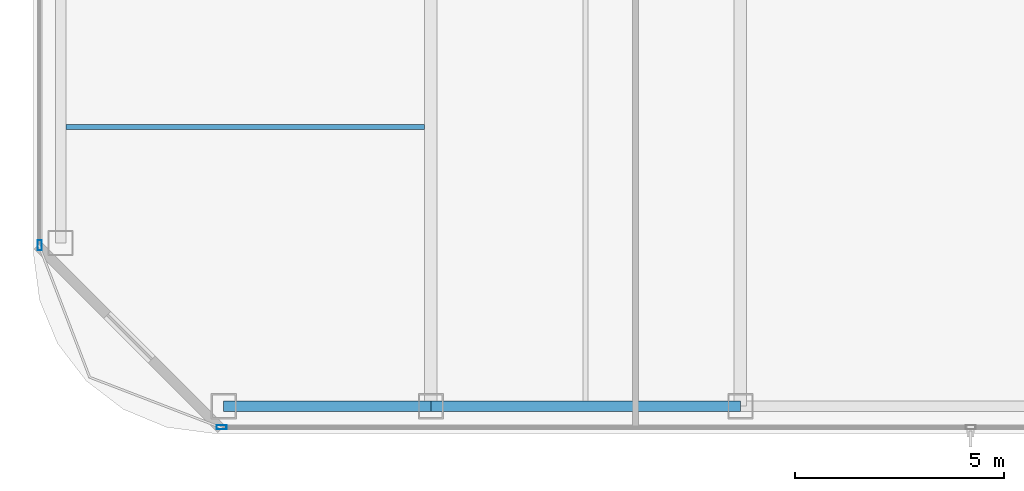
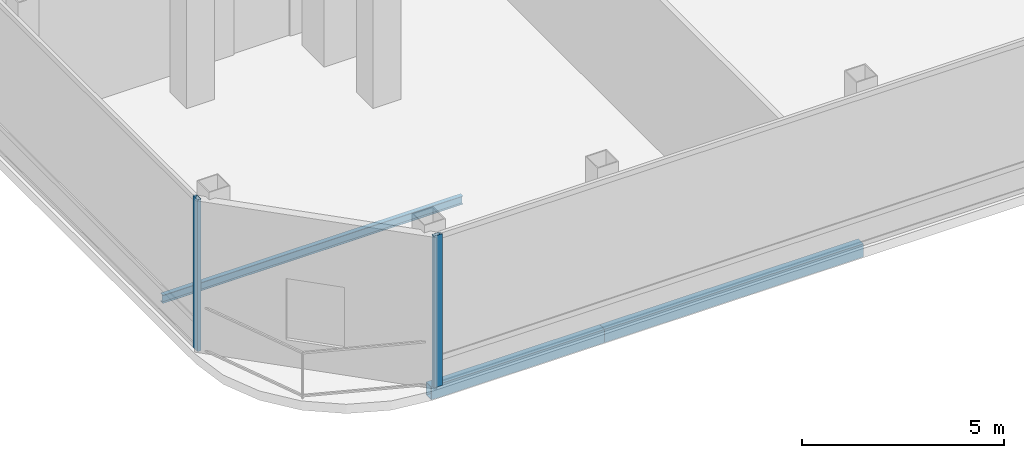
# One storey, part 2 of 22: 3 beams, 2 members, 2 elements without a shape of their own.
"""IFC4 building model written with IfcOpenShell, lengths in metres."""

import ifcopenshell
import ifcopenshell.guid

model = None  # the IFC model being written
_history = None  # IfcOwnerHistory: only IFC2X3 demands one
_inside = {}  # id of a spatial element -> (the spatial element, [elements in it])
_under = {}  # id of a project, library or spatial element -> (it, [spatial elements below it])
_declared = {}  # id of a project -> (the project, [libraries it declares])
_typed = {}  # id of a type object -> (the type object, [elements of that type])
_made_of = {}  # id of a material, layer set ... -> (it, [elements and type objects made of it])


def new_model(schema):
    """Start an empty IFC model of exactly this schema.

    Asked for "IFC4X3", IfcOpenShell would pick the latest addendum, in which some entities
    have other attributes; the version numbers below select the first issue.
    IFC2X3 requires an IfcOwnerHistory on every rooted entity: one is made here for all.
    """
    global model, _history
    if schema == "IFC4X3":
        model = ifcopenshell.file(schema_version=(4, 3, 0, 0))
    else:
        model = ifcopenshell.file(schema=schema)
    _inside.clear()
    _under.clear()
    _declared.clear()
    _typed.clear()
    _made_of.clear()
    _history = None
    if model.schema == "IFC2X3":
        org = make("IfcOrganization", Name="unknown")
        user = make(
            "IfcPersonAndOrganization",
            ThePerson=make("IfcPerson", FamilyName="unknown"),
            TheOrganization=org,
        )
        app = make(
            "IfcApplication",
            ApplicationDeveloper=org,
            Version="unknown",
            ApplicationFullName="unknown",
            ApplicationIdentifier="unknown",
        )
        _history = make(
            "IfcOwnerHistory",
            OwningUser=user,
            OwningApplication=app,
            ChangeAction="ADDED",
            CreationDate=0,
        )
    return model


def make(cls, **values):
    """One entity of the class cls with the attributes given. An attribute that is None is left unset."""
    return model.create_entity(
        cls, **{name: value for name, value in values.items() if value is not None}
    )


def rooted(cls, **values):
    """An entity with a GlobalId (a new one), such as an element, a storey or a relation."""
    return make(cls, GlobalId=ifcopenshell.guid.new(), OwnerHistory=_history, **values)


def si_unit(unit_type, name, prefix=None):
    """IfcSIUnit, for example si_unit("LENGTHUNIT", "METRE", prefix="MILLI")."""
    return make("IfcSIUnit", UnitType=unit_type, Prefix=prefix, Name=name)


def assignment(units):
    """IfcUnitAssignment: the units of a project."""
    return None if units is None else make("IfcUnitAssignment", Units=units)


def point(xyz):
    """IfcCartesianPoint."""
    return None if xyz is None else make("IfcCartesianPoint", Coordinates=xyz)


def direction(xyz):
    """IfcDirection."""
    return None if xyz is None else make("IfcDirection", DirectionRatios=xyz)


def frame(location, z_axis=None, x_axis=None):
    """IfcAxis2Placement3D, a coordinate frame: its origin and axes. An axis left out is left unset."""
    return make(
        "IfcAxis2Placement3D",
        Location=point(location),
        Axis=direction(z_axis),
        RefDirection=direction(x_axis),
    )


def frame_2d(location, x_axis=None):
    """IfcAxis2Placement2D, a coordinate frame in the plane: its origin and x axis."""
    return make(
        "IfcAxis2Placement2D", Location=point(location), RefDirection=direction(x_axis)
    )


def origin():
    """The frame at (0, 0, 0) with its axes left unset."""
    return frame((0.0, 0.0, 0.0))


def origin_2d():
    """The frame at (0, 0) in the plane with its x axis left unset."""
    return frame_2d((0.0, 0.0))


def place(relative_to, where):
    """IfcLocalPlacement: puts the frame where relative to a parent placement (None: the world)."""
    return make(
        "IfcLocalPlacement", PlacementRelTo=relative_to, RelativePlacement=where
    )


def context(
    kind, dimensions, precision=None, world=None, true_north=None, identifier=None
):
    """IfcGeometricRepresentationContext, for example the 3D "Model" context."""
    return make(
        "IfcGeometricRepresentationContext",
        ContextIdentifier=identifier,
        ContextType=kind,
        CoordinateSpaceDimension=dimensions,
        Precision=precision,
        WorldCoordinateSystem=world,
        TrueNorth=true_north,
    )


def subcontext(parent, identifier, kind, view, scale=None):
    """IfcGeometricRepresentationSubContext, for example "Body" below "Model"."""
    return make(
        "IfcGeometricRepresentationSubContext",
        ContextIdentifier=identifier,
        ContextType=kind,
        ParentContext=parent,
        TargetScale=scale,
        TargetView=view,
    )


def project(units=None, contexts=None):
    """IfcProject with its units and contexts."""
    return rooted(
        "IfcProject",
        Name="project",
        RepresentationContexts=contexts,
        UnitsInContext=assignment(units),
    )


def spatial(cls, under=None, at=None, **own):
    """A site, building, storey or space (cls), placed at a placement, below another one or the project."""
    s = rooted(cls, ObjectPlacement=at, **own)
    if under is not None:
        _under.setdefault(under.id(), (under, []))[1].append(s)
    return s


def profile(cls, at=None, kind="AREA", **sizes):
    """A parametric profile (cls). Its sizes go by their IFC names, for example OverallWidth=200.0."""
    return make(cls, ProfileType=kind, Position=at, **sizes)


def hollow_rectangle(**sizes):
    """IfcRectangleHollowProfileDef."""
    return profile("IfcRectangleHollowProfileDef", **sizes)


def i_section(**sizes):
    """IfcIShapeProfileDef."""
    return profile("IfcIShapeProfileDef", **sizes)


def extrude(swept, where, along, depth):
    """IfcExtrudedAreaSolid: the profile swept, set in the frame where, extruded along a direction by depth."""
    return make(
        "IfcExtrudedAreaSolid",
        SweptArea=swept,
        Position=where,
        ExtrudedDirection=direction(along),
        Depth=depth,
    )


def shape(context_of_items, identifier, shape_type, items):
    """IfcShapeRepresentation: the items that make up one representation, for example the "Body"."""
    return make(
        "IfcShapeRepresentation",
        ContextOfItems=context_of_items,
        RepresentationIdentifier=identifier,
        RepresentationType=shape_type,
        Items=items,
    )


def material(Name=None, Category=None):
    """IfcMaterial."""
    return make("IfcMaterial", Name=Name, Category=Category)


def layer(
    of_material, thickness, ventilated=None, Name=None, Category=None, Priority=None
):
    """IfcMaterialLayer: one layer of a wall or slab, of a material (None: an air gap)."""
    return make(
        "IfcMaterialLayer",
        Material=of_material,
        LayerThickness=thickness,
        IsVentilated=ventilated,
        Name=Name,
        Category=Category,
        Priority=Priority,
    )


def layer_set(layers, Name=None):
    """IfcMaterialLayerSet."""
    return make("IfcMaterialLayerSet", MaterialLayers=layers, LayerSetName=Name)


def material_profile(
    of_material, cross_section, Name=None, Category=None, Priority=None
):
    """IfcMaterialProfile: a cross section and its material."""
    return make(
        "IfcMaterialProfile",
        Name=Name,
        Material=of_material,
        Profile=cross_section,
        Priority=Priority,
        Category=Category,
    )


def profile_set(profiles, Name=None, composite=None):
    """IfcMaterialProfileSet."""
    return make(
        "IfcMaterialProfileSet",
        Name=Name,
        MaterialProfiles=profiles,
        CompositeProfile=composite,
    )


def made_of(thing, what):
    """Note that an element or type object is made of a material, layer set ...; save() writes the relation."""
    if what is not None:
        _made_of.setdefault(what.id(), (what, []))[1].append(thing)
    return thing


def type_object(cls, material=None, **own):
    """A type object (cls), such as IfcWallType, which elements share."""
    return made_of(rooted(cls, **own), material)


def element(
    cls,
    number,
    at=None,
    inside=None,
    cuts=None,
    type_object=None,
    material=None,
    context=None,
    identifier="Body",
    shape_type=None,
    held_by="IfcProductDefinitionShape",
    body=None,
    shapes=None,
    **own,
):
    """One element of the class cls, such as IfcWall. Its Tag is "e" and its number.

    at: its placement. inside: the storey or other place that contains it. cuts: it is an
    opening in that element (IfcRelVoidsElement). A single representation is given by context,
    identifier, shape_type and body (its items); several are given by shapes. held_by: the class
    of the entity that holds the representations. save() writes the other relations.
    """
    e = rooted(cls, Tag="e%d" % number, ObjectPlacement=at, **own)
    if body is not None:
        shapes = [shape(context, identifier, shape_type, body)]
    if shapes is not None:
        e.Representation = make(held_by, Representations=shapes)
    if inside is not None:
        _inside.setdefault(inside.id(), (inside, []))[1].append(e)
    if cuts is not None:
        rooted(
            "IfcRelVoidsElement", RelatingBuildingElement=cuts, RelatedOpeningElement=e
        )
    if type_object is not None:
        _typed.setdefault(type_object.id(), (type_object, []))[1].append(e)
    return made_of(e, material)


def aggregate(whole, parts):
    """IfcRelAggregates: a whole, such as a stair, and the parts it consists of."""
    return rooted("IfcRelAggregates", RelatingObject=whole, RelatedObjects=parts)


def save(model, path):
    """Write the relations noted so far, then the file.

    IfcRelAggregates (storeys below a building ...), IfcRelContainedInSpatialStructure (elements
    in a storey), IfcRelDefinesByType, IfcRelAssociatesMaterial and IfcRelDeclares: one each for
    every whole, place, type object, material and project.
    """
    for whole, parts in _under.values():
        aggregate(whole, parts)
    for where, things in _inside.values():
        rooted(
            "IfcRelContainedInSpatialStructure",
            RelatedElements=things,
            RelatingStructure=where,
        )
    for kind, things in _typed.values():
        rooted("IfcRelDefinesByType", RelatedObjects=things, RelatingType=kind)
    for what, things in _made_of.values():
        rooted("IfcRelAssociatesMaterial", RelatedObjects=things, RelatingMaterial=what)
    for by, libraries in _declared.values():
        rooted("IfcRelDeclares", RelatingContext=by, RelatedDefinitions=libraries)
    model.write(path)


model = new_model("IFC4")

# Units and contexts
model_context = context("Model", 3, precision=1e-05, world=origin(), true_north=direction((0.0, 1.0)))
body_context = subcontext(model_context, "Body", "Model", "MODEL_VIEW")
ifc_project = project(units=[si_unit("LENGTHUNIT", "METRE"), si_unit("AREAUNIT", "SQUARE_METRE"), si_unit("VOLUMEUNIT", "CUBIC_METRE"), si_unit("PLANEANGLEUNIT", "RADIAN"), si_unit("MASSUNIT", "GRAM", prefix="KILO")], contexts=[model_context])

# Site, building, storey
site_placement = place(None, origin())
site = spatial("IfcSite", under=ifc_project, at=site_placement, CompositionType="ELEMENT")
building_placement = place(site_placement, origin())
building = spatial("IfcBuilding", under=site, at=building_placement, Name="Khorvyn Point Tower", CompositionType="ELEMENT")
storey_placement = place(building_placement, frame((0.0, 0.0, 210.89990234375)))
storey = spatial("IfcBuildingStorey", under=building, at=storey_placement, Name="L52", CompositionType="ELEMENT", Elevation=210.89990234375)

# Curtain wall, member
ifc_material_1 = material(Name="Anodised aluminium 6063-T6 and laminated Low-E glass", Category="aluminium")
ifc_layer = layer(ifc_material_1, 0.18994140625)
ifc_layer_set = layer_set([ifc_layer], Name="Stick-Built Sky-Lobby Curtain Wall CW-SYS-05")
curtain_wall_type = type_object("IfcCurtainWallType", Name="Stick-Built Sky-Lobby Curtain Wall CW-SYS-05", PredefinedType="NOTDEFINED", material=ifc_layer_set)
curtain_wall_1_placement = place(storey_placement, origin())
curtain_wall_1 = element("IfcCurtainWall", 1, at=curtain_wall_1_placement, inside=storey, type_object=curtain_wall_type, Name="Curtain Wall", PredefinedType="NOTDEFINED")
ifc_material_2 = material(Name="Anodised aluminium 6063-T6", Category="aluminium")
ifc_material_profile_1 = material_profile(ifc_material_2, hollow_rectangle(XDim=0.10009765625, YDim=0.239990234375, WallThickness=0.0048828125, at=origin_2d()))
ifc_profile_set_1 = profile_set([ifc_material_profile_1], Name="Anodised aluminium 6063-T6 ALU-MUL-100x240")
member_type = type_object("IfcMemberType", Name="Anodised Aluminium 6063-T6 Mullion ALU-MUL-100x240", PredefinedType="MULLION", material=ifc_profile_set_1)
member_1_placement = place(storey_placement, frame((-19.800048828125, -28.64990234375, 0.0), z_axis=(0.0, 0.0, 1.0), x_axis=(0.0, -1.0, 0.0)))
member_1 = element("IfcMember", 2, at=member_1_placement, type_object=member_type, Name="Transom", PredefinedType="MULLION", context=body_context, shape_type="SweptSolid", body=[
    extrude(hollow_rectangle(XDim=0.10009765625, YDim=0.239990234375, WallThickness=0.0048828125, at=origin_2d()), origin(), (0.0, 0.0, 1.0), 4.580078125),
])
aggregate(curtain_wall_1, [member_1])

curtain_wall_2_placement = place(storey_placement, origin())
curtain_wall_2 = element("IfcCurtainWall", 3, at=curtain_wall_2_placement, inside=storey, type_object=curtain_wall_type, Name="Curtain Wall", PredefinedType="NOTDEFINED")
member_2_placement = place(storey_placement, frame((-24.14990234375, -24.300048828125, 0.0), z_axis=(0.0, 0.0, 1.0), x_axis=(-1.0, 0.0, 0.0)))
member_2 = element("IfcMember", 4, at=member_2_placement, type_object=member_type, Name="Transom", PredefinedType="MULLION", context=body_context, shape_type="SweptSolid", body=[
    extrude(hollow_rectangle(XDim=0.10009765625, YDim=0.239990234375, WallThickness=0.0048828125, at=origin_2d()), origin(), (0.0, 0.0, 1.0), 4.580078125),
])
aggregate(curtain_wall_2, [member_2])

# Beams
ifc_material_3 = material(Name="Steel S355", Category="steel")
ifc_material_profile_2 = material_profile(ifc_material_3, i_section(OverallWidth=0.125, OverallDepth=0.25, WebThickness=0.006103515625, FlangeThickness=0.009033203125, at=origin_2d()))
ifc_profile_set_2 = profile_set([ifc_material_profile_2], Name="Steel S355 H250x125x6x9")
beam_type_1 = type_object("IfcBeamType", Name="Steel S355 Joist H250x125x6x9", PredefinedType="JOIST", material=ifc_profile_set_2)
beam_1_placement = place(storey_placement, frame((-23.52490234375, -21.47509765625, -0.40478515625), z_axis=(1.0, 0.0, 0.0), x_axis=(0.0, 1.0, 0.0)))
element("IfcBeam", 5, at=beam_1_placement, inside=storey, type_object=beam_type_1, Name="Beam", PredefinedType="JOIST", context=body_context, shape_type="SweptSolid", body=[
    extrude(i_section(OverallWidth=0.125, OverallDepth=0.25, WebThickness=0.006103515625, FlangeThickness=0.009033203125, at=origin_2d()), origin(), (0.0, 0.0, 1.0), 8.574951171875),
])
ifc_material_profile_3 = material_profile(ifc_material_3, hollow_rectangle(XDim=0.25, YDim=0.39990234375, WallThickness=0.01611328125, at=origin_2d()))
ifc_profile_set_3 = profile_set([ifc_material_profile_3], Name="Steel S355 RHS400x250x16")
beam_type_2 = type_object("IfcBeamType", Name="Steel S355 Spandrel RHS400x250x16", PredefinedType="SPANDREL", material=ifc_profile_set_3)
beam_2_placement = place(storey_placement, frame((-19.75, -28.14990234375, -0.47998046875), z_axis=(1.0, 0.0, 0.0), x_axis=(0.0, 1.0, 0.0)))
element("IfcBeam", 6, at=beam_2_placement, inside=storey, type_object=beam_type_2, Name="Beam", PredefinedType="SPANDREL", context=body_context, shape_type="SweptSolid", body=[
    extrude(hollow_rectangle(XDim=0.25, YDim=0.39990234375, WallThickness=0.01611328125, at=origin_2d()), origin(), (0.0, 0.0, 1.0), 4.949951171875),
])
beam_3_placement = place(storey_placement, frame((-14.800048828125, -28.14990234375, -0.47998046875), z_axis=(1.0, 0.0, 0.0), x_axis=(0.0, 1.0, 0.0)))
element("IfcBeam", 7, at=beam_3_placement, inside=storey, type_object=beam_type_2, Name="Beam", PredefinedType="SPANDREL", context=body_context, shape_type="SweptSolid", body=[
    extrude(hollow_rectangle(XDim=0.25, YDim=0.39990234375, WallThickness=0.01611328125, at=origin_2d()), origin(), (0.0, 0.0, 1.0), 7.400146484375),
])

save(model, "model.ifc")
